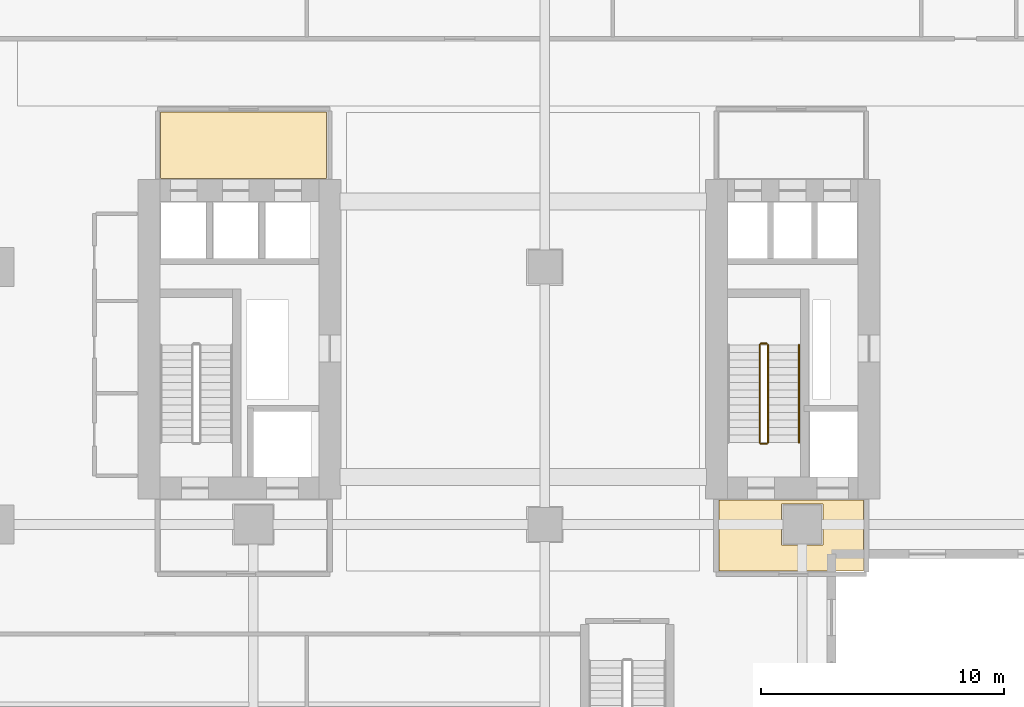
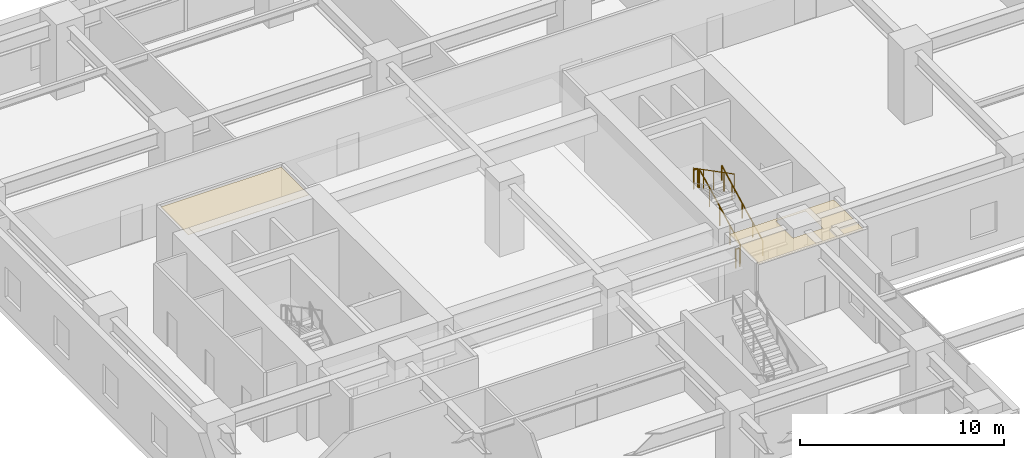
# One storey, part 25 of 28: 5 railings, 2 coverings.
"""IFC4 building model written with IfcOpenShell, lengths in metres."""

from ifc_helpers import new_model, si_unit, direction, frame, origin, origin_2d, place, context, subcontext, project, spatial, polyline, circle, outline, extrude, material, layer, layer_set, type_object, element, save


model = new_model("IFC4")

# Units and contexts
model_context = context("Model", 3, precision=1e-05, world=origin(), true_north=direction((0.0, 1.0)))
body_context = subcontext(model_context, "Body", "Model", "MODEL_VIEW")
ifc_project = project(units=[si_unit("LENGTHUNIT", "METRE"), si_unit("AREAUNIT", "SQUARE_METRE"), si_unit("VOLUMEUNIT", "CUBIC_METRE"), si_unit("PLANEANGLEUNIT", "RADIAN"), si_unit("MASSUNIT", "GRAM", prefix="KILO")], contexts=[model_context])

# Site, building, storey
site_placement = place(None, origin())
site = spatial("IfcSite", under=ifc_project, at=site_placement, CompositionType="ELEMENT")
building_placement = place(site_placement, origin())
building = spatial("IfcBuilding", under=site, at=building_placement, Name="Khoralis Quay Care Tower", CompositionType="ELEMENT")
storey_placement = place(building_placement, frame((0.0, 0.0, 9.0)))
storey = spatial("IfcBuildingStorey", under=building, at=storey_placement, Name="L02", CompositionType="ELEMENT", Elevation=9.0)

# Coverings
ifc_material_1 = material(Name="Mineral-fibre acoustic ceiling tile")
ifc_layer = layer(ifc_material_1, 0.01806640625)
ifc_layer_set = layer_set([ifc_layer], Name="Mineral-fibre acoustic ceiling tile")
covering_type = type_object("IfcCoveringType", Name="COV-CEIL-AC18", PredefinedType="CEILING", material=ifc_layer_set)
covering_1_placement = place(storey_placement, frame((0.0, 0.0, 4.011962890625)))
element("IfcCovering", 1, at=covering_1_placement, inside=storey, type_object=covering_type, Name="Suspended Acoustic Ceiling SP-L02-FFLOB-E", PredefinedType="CEILING", context=body_context, shape_type="SweptSolid", body=[
    extrude(outline(polyline([(31.179931640625, 11.47998046875), (37.1201171875, 11.47998046875), (37.1201171875, 14.39990234375), (31.179931640625, 14.39990234375), (31.179931640625, 11.47998046875)]), holes=[polyline([(33.75, 12.550048828125), (35.449951171875, 12.550048828125), (35.449951171875, 14.25), (33.75, 14.25), (33.75, 12.550048828125)])]), origin(), (0.0, 0.0, 1.0), 0.01806640625),
])
covering_2_placement = place(storey_placement, frame((0.0, 0.0, 4.011962890625)))
element("IfcCovering", 2, at=covering_2_placement, inside=storey, type_object=covering_type, Name="Suspended Acoustic Ceiling SP-L02-LLOB-W", PredefinedType="CEILING", context=body_context, shape_type="SweptSolid", body=[
    extrude(outline(polyline([(8.179931640625, 27.64990234375), (15.02001953125, 27.64990234375), (15.02001953125, 30.389892578125), (8.179931640625, 30.389892578125), (8.179931640625, 27.64990234375)])), origin(), (0.0, 0.0, 1.0), 0.01806640625),
])

# Railings
ifc_material_2 = material(Name="Brushed stainless steel", Category="steel")
railing_type_1 = type_object("IfcRailingType", Name="RL-GUARD-1150", PredefinedType="GUARDRAIL", material=ifc_material_2)
railing_1_placement = place(storey_placement, frame((33.18994140625, 16.77001953125, 0.16064453125)))
element("IfcRailing", 3, at=railing_1_placement, inside=storey, type_object=railing_type_1, Name="L02 ST-T2 stair guard 1", PredefinedType="GUARDRAIL", context=body_context, shape_type="SweptSolid", body=[
    extrude(circle(Radius=0.02392578125, at=origin_2d()), frame((0.0, 0.0, 1.1259765625), z_axis=(0.0, 0.887780577991, 0.46026692836), x_axis=(-1.0, 0.0, 0.0)), (0.0, 0.0, 1.0), 4.53955078125),
    extrude(circle(Radius=0.02099609375, at=origin_2d()), origin(), (0.0, 0.0, 1.0), 1.101806640625),
    extrude(circle(Radius=0.02099609375, at=origin_2d()), frame((0.0, 1.007568359375, 0.5224609375)), (0.0, 0.0, 1.0), 1.101806640625),
    extrude(circle(Radius=0.02099609375, at=origin_2d()), frame((0.0, 2.01513671875, 1.044677734375)), (0.0, 0.0, 1.0), 1.101806640625),
    extrude(circle(Radius=0.02099609375, at=origin_2d()), frame((0.0, 3.0224609375, 1.56689453125)), (0.0, 0.0, 1.0), 1.101806640625),
    extrude(circle(Radius=0.02099609375, at=origin_2d()), frame((0.0, 4.030029296875, 2.08935546875)), (0.0, 0.0, 1.0), 1.101806640625),
])
railing_2_placement = place(storey_placement, frame((33.139892578125, 20.85009765625, 2.25)))
element("IfcRailing", 4, at=railing_2_placement, inside=storey, type_object=railing_type_1, Name="L02 ST-T2 stair guard 2", PredefinedType="GUARDRAIL", context=body_context, shape_type="SweptSolid", body=[
    extrude(circle(Radius=0.02392578125, at=origin_2d()), frame((0.0, 0.0, 1.1259765625), z_axis=(-1.0, 0.0, 0.0), x_axis=(0.0, -1.0, 0.0)), (0.0, 0.0, 1.0), 0.239990234375),
    extrude(circle(Radius=0.02099609375, at=origin_2d()), origin(), (0.0, 0.0, 1.0), 1.101806640625),
    extrude(circle(Radius=0.02099609375, at=origin_2d()), frame((-0.239990234375, 0.0, 0.0)), (0.0, 0.0, 1.0), 1.101806640625),
])
railing_3_placement = place(storey_placement, frame((32.85009765625, 20.800048828125, 2.41064453125)))
element("IfcRailing", 5, at=railing_3_placement, inside=storey, type_object=railing_type_1, Name="L02 ST-T2 stair guard 3", PredefinedType="GUARDRAIL", context=body_context, shape_type="SweptSolid", body=[
    extrude(circle(Radius=0.02392578125, at=origin_2d()), frame((0.0, 0.0, 1.1259765625), z_axis=(0.0, -0.887780577991, 0.46026692836), x_axis=(1.0, 0.0, 0.0)), (0.0, 0.0, 1.0), 4.53955078125),
    extrude(circle(Radius=0.02099609375, at=origin_2d()), origin(), (0.0, 0.0, 1.0), 1.101806640625),
    extrude(circle(Radius=0.02099609375, at=origin_2d()), frame((0.0, -1.007568359375, 0.5224609375)), (0.0, 0.0, 1.0), 1.101806640625),
    extrude(circle(Radius=0.02099609375, at=origin_2d()), frame((0.0, -2.01513671875, 1.044677734375)), (0.0, 0.0, 1.0), 1.101806640625),
    extrude(circle(Radius=0.02099609375, at=origin_2d()), frame((0.0, -3.0224609375, 1.56689453125)), (0.0, 0.0, 1.0), 1.101806640625),
    extrude(circle(Radius=0.02099609375, at=origin_2d()), frame((0.0, -4.030029296875, 2.08935546875)), (0.0, 0.0, 1.0), 1.101806640625),
])
railing_4_placement = place(storey_placement, frame((33.139892578125, 16.719970703125, 0.0)))
element("IfcRailing", 6, at=railing_4_placement, inside=storey, type_object=railing_type_1, Name="L02 ST-T2 stair guard 4", PredefinedType="GUARDRAIL", context=body_context, shape_type="SweptSolid", body=[
    extrude(circle(Radius=0.02392578125, at=origin_2d()), frame((0.0, 0.0, 1.1259765625), z_axis=(-1.0, 0.0, 0.0), x_axis=(0.0, -1.0, 0.0)), (0.0, 0.0, 1.0), 0.239990234375),
    extrude(circle(Radius=0.02099609375, at=origin_2d()), origin(), (0.0, 0.0, 1.0), 1.101806640625),
    extrude(circle(Radius=0.02099609375, at=origin_2d()), frame((-0.239990234375, 0.0, 0.0)), (0.0, 0.0, 1.0), 1.101806640625),
])
railing_type_2 = type_object("IfcRailingType", Name="RL-HAND-900", PredefinedType="HANDRAIL", material=ifc_material_2)
railing_5_placement = place(storey_placement, frame((34.469970703125, 16.77001953125, 0.16064453125)))
element("IfcRailing", 7, at=railing_5_placement, inside=storey, type_object=railing_type_2, Name="L02 ST-T2 stair handrail 1", PredefinedType="HANDRAIL", context=body_context, shape_type="SweptSolid", body=[
    extrude(circle(Radius=0.02392578125, at=origin_2d()), frame((0.0, 0.0, 0.8759765625), z_axis=(0.0, 0.887780577991, 0.46026692836), x_axis=(-1.0, 0.0, 0.0)), (0.0, 0.0, 1.0), 4.53955078125),
    extrude(circle(Radius=0.02099609375, at=origin_2d()), origin(), (0.0, 0.0, 1.0), 0.851806640625),
    extrude(circle(Radius=0.02099609375, at=origin_2d()), frame((0.0, 1.007568359375, 0.5224609375)), (0.0, 0.0, 1.0), 0.851806640625),
    extrude(circle(Radius=0.02099609375, at=origin_2d()), frame((0.0, 2.01513671875, 1.044677734375)), (0.0, 0.0, 1.0), 0.851806640625),
    extrude(circle(Radius=0.02099609375, at=origin_2d()), frame((0.0, 3.0224609375, 1.56689453125)), (0.0, 0.0, 1.0), 0.851806640625),
    extrude(circle(Radius=0.02099609375, at=origin_2d()), frame((0.0, 4.030029296875, 2.08935546875)), (0.0, 0.0, 1.0), 0.851806640625),
])

save(model, "model.ifc")
